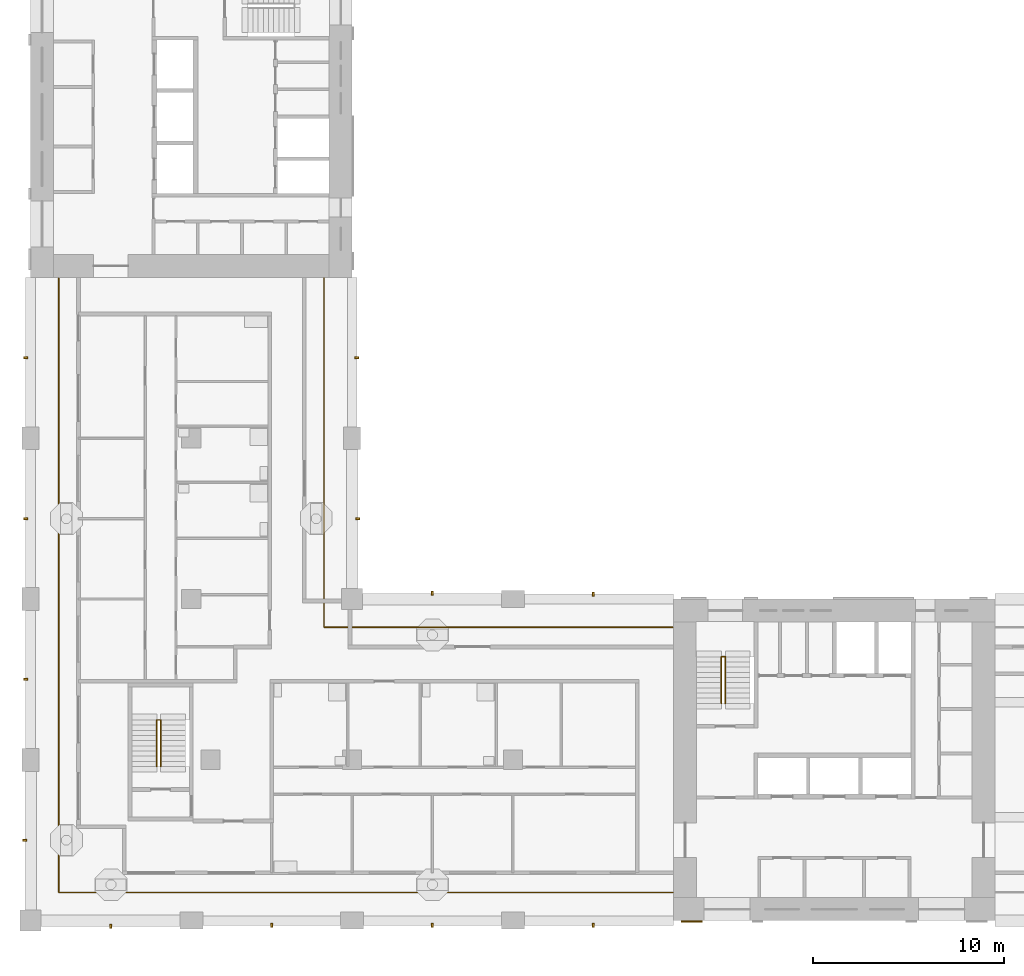
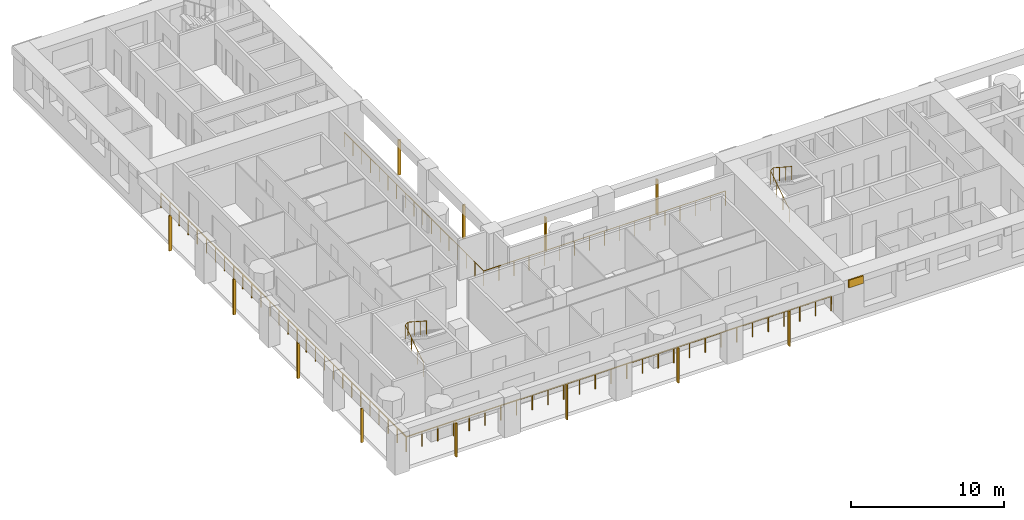
# One storey, part 8 of 13: 13 shading devices, 4 railings.
"""IFC4 building model written with IfcOpenShell, lengths in metres."""

from ifc_helpers import new_model, si_unit, direction, frame, origin, origin_2d, place, context, subcontext, project, spatial, rectangle, circle, extrude, material, layer, layer_set, material_profile, profile_set, type_object, element, save


model = new_model("IFC4")

# Units and contexts
model_context = context("Model", 3, precision=1e-05, world=origin(), true_north=direction((0.0, 1.0)))
body_context = subcontext(model_context, "Body", "Model", "MODEL_VIEW")
ifc_project = project(units=[si_unit("LENGTHUNIT", "METRE"), si_unit("AREAUNIT", "SQUARE_METRE"), si_unit("VOLUMEUNIT", "CUBIC_METRE"), si_unit("PLANEANGLEUNIT", "RADIAN"), si_unit("MASSUNIT", "GRAM", prefix="KILO")], contexts=[model_context])

# Site, building, storey
site_placement = place(None, origin())
site = spatial("IfcSite", under=ifc_project, at=site_placement, CompositionType="ELEMENT")
building_placement = place(site_placement, origin())
building = spatial("IfcBuilding", under=site, at=building_placement, Name="Vermilion Gate Residences", CompositionType="ELEMENT")
storey_placement = place(building_placement, frame((0.0, 0.0, 165.199951171875)))
storey = spatial("IfcBuildingStorey", under=building, at=storey_placement, Name="L42", CompositionType="ELEMENT", Elevation=165.199951171875)

# Railings
ifc_material_1 = material(Name="Stainless steel and toughened glass", Category="steel")
railing_type_1 = type_object("IfcRailingType", Name="LOGGIA GUARD STEEL AND GLASS 1200", PredefinedType="GUARDRAIL", material=ifc_material_1)
railing_1_placement = place(storey_placement, frame((41.97802734375, 23.72509765625, 0.0)))
element("IfcRailing", 1, at=railing_1_placement, inside=storey, type_object=railing_type_1, Name="Loggia guard", PredefinedType="GUARDRAIL", context=body_context, shape_type="SweptSolid", body=[
    extrude(circle(Radius=0.030029296875, at=origin_2d()), frame((0.0, 0.0, 1.169921875), z_axis=(-1.0, 0.0, 0.0), x_axis=(0.0, -1.0, 0.0)), (0.0, 0.0, 1.0), 18.2529296875),
    extrude(circle(Radius=0.030029296875, at=origin_2d()), frame((-18.2529296875, 0.0, 1.169921875), z_axis=(0.0, 1.0, 0.0), x_axis=(-1.0, 0.0, 0.0)), (0.0, 0.0, 1.0), 18.2529296875),
    extrude(circle(Radius=0.02490234375, at=origin_2d()), origin(), (0.0, 0.0, 1.0), 1.139892578125),
    extrude(circle(Radius=0.02490234375, at=origin_2d()), frame((-1.140869140625, 0.0, 0.0)), (0.0, 0.0, 1.0), 1.139892578125),
    extrude(circle(Radius=0.02490234375, at=origin_2d()), frame((-2.28173828125, 0.0, 0.0)), (0.0, 0.0, 1.0), 1.139892578125),
    extrude(circle(Radius=0.02490234375, at=origin_2d()), frame((-3.42236328125, 0.0, 0.0)), (0.0, 0.0, 1.0), 1.139892578125),
    extrude(circle(Radius=0.02490234375, at=origin_2d()), frame((-4.563232421875, 0.0, 0.0)), (0.0, 0.0, 1.0), 1.139892578125),
    extrude(circle(Radius=0.02490234375, at=origin_2d()), frame((-5.7041015625, 0.0, 0.0)), (0.0, 0.0, 1.0), 1.139892578125),
    extrude(circle(Radius=0.02490234375, at=origin_2d()), frame((-6.8447265625, 0.0, 0.0)), (0.0, 0.0, 1.0), 1.139892578125),
    extrude(circle(Radius=0.02490234375, at=origin_2d()), frame((-7.985595703125, 0.0, 0.0)), (0.0, 0.0, 1.0), 1.139892578125),
    extrude(circle(Radius=0.02490234375, at=origin_2d()), frame((-9.12646484375, 0.0, 0.0)), (0.0, 0.0, 1.0), 1.139892578125),
    extrude(circle(Radius=0.02490234375, at=origin_2d()), frame((-10.267333984375, 0.0, 0.0)), (0.0, 0.0, 1.0), 1.139892578125),
    extrude(circle(Radius=0.02490234375, at=origin_2d()), frame((-11.408203125, 0.0, 0.0)), (0.0, 0.0, 1.0), 1.139892578125),
    extrude(circle(Radius=0.02490234375, at=origin_2d()), frame((-12.548828125, 0.0, 0.0)), (0.0, 0.0, 1.0), 1.139892578125),
    extrude(circle(Radius=0.02490234375, at=origin_2d()), frame((-13.689697265625, 0.0, 0.0)), (0.0, 0.0, 1.0), 1.139892578125),
    extrude(circle(Radius=0.02490234375, at=origin_2d()), frame((-14.83056640625, 0.0, 0.0)), (0.0, 0.0, 1.0), 1.139892578125),
    extrude(circle(Radius=0.02490234375, at=origin_2d()), frame((-15.97119140625, 0.0, 0.0)), (0.0, 0.0, 1.0), 1.139892578125),
    extrude(circle(Radius=0.02490234375, at=origin_2d()), frame((-17.112060546875, 0.0, 0.0)), (0.0, 0.0, 1.0), 1.139892578125),
    extrude(circle(Radius=0.02490234375, at=origin_2d()), frame((-18.2529296875, 0.0, 0.0)), (0.0, 0.0, 1.0), 1.139892578125),
    extrude(circle(Radius=0.02490234375, at=origin_2d()), frame((-18.2529296875, 1.140869140625, 0.0)), (0.0, 0.0, 1.0), 1.139892578125),
    extrude(circle(Radius=0.02490234375, at=origin_2d()), frame((-18.2529296875, 2.28173828125, 0.0)), (0.0, 0.0, 1.0), 1.139892578125),
    extrude(circle(Radius=0.02490234375, at=origin_2d()), frame((-18.2529296875, 3.42236328125, 0.0)), (0.0, 0.0, 1.0), 1.139892578125),
    extrude(circle(Radius=0.02490234375, at=origin_2d()), frame((-18.2529296875, 4.563232421875, 0.0)), (0.0, 0.0, 1.0), 1.139892578125),
    extrude(circle(Radius=0.02490234375, at=origin_2d()), frame((-18.2529296875, 5.7041015625, 0.0)), (0.0, 0.0, 1.0), 1.139892578125),
    extrude(circle(Radius=0.02490234375, at=origin_2d()), frame((-18.2529296875, 6.8447265625, 0.0)), (0.0, 0.0, 1.0), 1.139892578125),
    extrude(circle(Radius=0.02490234375, at=origin_2d()), frame((-18.2529296875, 7.985595703125, 0.0)), (0.0, 0.0, 1.0), 1.139892578125),
    extrude(circle(Radius=0.02490234375, at=origin_2d()), frame((-18.2529296875, 9.12646484375, 0.0)), (0.0, 0.0, 1.0), 1.139892578125),
    extrude(circle(Radius=0.02490234375, at=origin_2d()), frame((-18.2529296875, 10.267333984375, 0.0)), (0.0, 0.0, 1.0), 1.139892578125),
    extrude(circle(Radius=0.02490234375, at=origin_2d()), frame((-18.2529296875, 11.408203125, 0.0)), (0.0, 0.0, 1.0), 1.139892578125),
    extrude(circle(Radius=0.02490234375, at=origin_2d()), frame((-18.2529296875, 12.548828125, 0.0)), (0.0, 0.0, 1.0), 1.139892578125),
    extrude(circle(Radius=0.02490234375, at=origin_2d()), frame((-18.2529296875, 13.689697265625, 0.0)), (0.0, 0.0, 1.0), 1.139892578125),
    extrude(circle(Radius=0.02490234375, at=origin_2d()), frame((-18.2529296875, 14.83056640625, 0.0)), (0.0, 0.0, 1.0), 1.139892578125),
    extrude(circle(Radius=0.02490234375, at=origin_2d()), frame((-18.2529296875, 15.97119140625, 0.0)), (0.0, 0.0, 1.0), 1.139892578125),
    extrude(circle(Radius=0.02490234375, at=origin_2d()), frame((-18.2529296875, 17.112060546875, 0.0)), (0.0, 0.0, 1.0), 1.139892578125),
    extrude(circle(Radius=0.02490234375, at=origin_2d()), frame((-18.2529296875, 18.2529296875, 0.0)), (0.0, 0.0, 1.0), 1.139892578125),
])
railing_2_placement = place(storey_placement, frame((9.875, 41.97802734375, 0.0)))
element("IfcRailing", 2, at=railing_2_placement, inside=storey, type_object=railing_type_1, Name="Loggia guard", PredefinedType="GUARDRAIL", context=body_context, shape_type="SweptSolid", body=[
    extrude(circle(Radius=0.030029296875, at=origin_2d()), frame((0.0, 0.0, 1.169921875), z_axis=(0.0, -1.0, 0.0), x_axis=(1.0, 0.0, 0.0)), (0.0, 0.0, 1.0), 32.10302734375),
    extrude(circle(Radius=0.030029296875, at=origin_2d()), frame((0.0, -32.10302734375, 1.169921875), z_axis=(1.0, 0.0, 0.0), x_axis=(0.0, 1.0, 0.0)), (0.0, 0.0, 1.0), 32.10302734375),
    extrude(circle(Radius=0.02490234375, at=origin_2d()), origin(), (0.0, 0.0, 1.0), 1.139892578125),
    extrude(circle(Radius=0.02490234375, at=origin_2d()), frame((0.0, -1.18896484375, 0.0)), (0.0, 0.0, 1.0), 1.139892578125),
    extrude(circle(Radius=0.02490234375, at=origin_2d()), frame((0.0, -2.3779296875, 0.0)), (0.0, 0.0, 1.0), 1.139892578125),
    extrude(circle(Radius=0.02490234375, at=origin_2d()), frame((0.0, -3.56689453125, 0.0)), (0.0, 0.0, 1.0), 1.139892578125),
    extrude(circle(Radius=0.02490234375, at=origin_2d()), frame((0.0, -4.756103515625, 0.0)), (0.0, 0.0, 1.0), 1.139892578125),
    extrude(circle(Radius=0.02490234375, at=origin_2d()), frame((0.0, -5.945068359375, 0.0)), (0.0, 0.0, 1.0), 1.139892578125),
    extrude(circle(Radius=0.02490234375, at=origin_2d()), frame((0.0, -7.134033203125, 0.0)), (0.0, 0.0, 1.0), 1.139892578125),
    extrude(circle(Radius=0.02490234375, at=origin_2d()), frame((0.0, -8.322998046875, 0.0)), (0.0, 0.0, 1.0), 1.139892578125),
    extrude(circle(Radius=0.02490234375, at=origin_2d()), frame((0.0, -9.511962890625, 0.0)), (0.0, 0.0, 1.0), 1.139892578125),
    extrude(circle(Radius=0.02490234375, at=origin_2d()), frame((0.0, -10.700927734375, 0.0)), (0.0, 0.0, 1.0), 1.139892578125),
    extrude(circle(Radius=0.02490234375, at=origin_2d()), frame((0.0, -11.889892578125, 0.0)), (0.0, 0.0, 1.0), 1.139892578125),
    extrude(circle(Radius=0.02490234375, at=origin_2d()), frame((0.0, -13.0791015625, 0.0)), (0.0, 0.0, 1.0), 1.139892578125),
    extrude(circle(Radius=0.02490234375, at=origin_2d()), frame((0.0, -14.26806640625, 0.0)), (0.0, 0.0, 1.0), 1.139892578125),
    extrude(circle(Radius=0.02490234375, at=origin_2d()), frame((0.0, -15.45703125, 0.0)), (0.0, 0.0, 1.0), 1.139892578125),
    extrude(circle(Radius=0.02490234375, at=origin_2d()), frame((0.0, -16.64599609375, 0.0)), (0.0, 0.0, 1.0), 1.139892578125),
    extrude(circle(Radius=0.02490234375, at=origin_2d()), frame((0.0, -17.8349609375, 0.0)), (0.0, 0.0, 1.0), 1.139892578125),
    extrude(circle(Radius=0.02490234375, at=origin_2d()), frame((0.0, -19.02392578125, 0.0)), (0.0, 0.0, 1.0), 1.139892578125),
    extrude(circle(Radius=0.02490234375, at=origin_2d()), frame((0.0, -20.213134765625, 0.0)), (0.0, 0.0, 1.0), 1.139892578125),
    extrude(circle(Radius=0.02490234375, at=origin_2d()), frame((0.0, -21.402099609375, 0.0)), (0.0, 0.0, 1.0), 1.139892578125),
    extrude(circle(Radius=0.02490234375, at=origin_2d()), frame((0.0, -22.591064453125, 0.0)), (0.0, 0.0, 1.0), 1.139892578125),
    extrude(circle(Radius=0.02490234375, at=origin_2d()), frame((0.0, -23.780029296875, 0.0)), (0.0, 0.0, 1.0), 1.139892578125),
    extrude(circle(Radius=0.02490234375, at=origin_2d()), frame((0.0, -24.968994140625, 0.0)), (0.0, 0.0, 1.0), 1.139892578125),
    extrude(circle(Radius=0.02490234375, at=origin_2d()), frame((0.0, -26.157958984375, 0.0)), (0.0, 0.0, 1.0), 1.139892578125),
    extrude(circle(Radius=0.02490234375, at=origin_2d()), frame((0.0, -27.346923828125, 0.0)), (0.0, 0.0, 1.0), 1.139892578125),
    extrude(circle(Radius=0.02490234375, at=origin_2d()), frame((0.0, -28.5361328125, 0.0)), (0.0, 0.0, 1.0), 1.139892578125),
    extrude(circle(Radius=0.02490234375, at=origin_2d()), frame((0.0, -29.72509765625, 0.0)), (0.0, 0.0, 1.0), 1.139892578125),
    extrude(circle(Radius=0.02490234375, at=origin_2d()), frame((0.0, -30.9140625, 0.0)), (0.0, 0.0, 1.0), 1.139892578125),
    extrude(circle(Radius=0.02490234375, at=origin_2d()), frame((0.0, -32.10302734375, 0.0)), (0.0, 0.0, 1.0), 1.139892578125),
    extrude(circle(Radius=0.02490234375, at=origin_2d()), frame((1.18896484375, -32.10302734375, 0.0)), (0.0, 0.0, 1.0), 1.139892578125),
    extrude(circle(Radius=0.02490234375, at=origin_2d()), frame((2.3779296875, -32.10302734375, 0.0)), (0.0, 0.0, 1.0), 1.139892578125),
    extrude(circle(Radius=0.02490234375, at=origin_2d()), frame((3.56689453125, -32.10302734375, 0.0)), (0.0, 0.0, 1.0), 1.139892578125),
    extrude(circle(Radius=0.02490234375, at=origin_2d()), frame((4.756103515625, -32.10302734375, 0.0)), (0.0, 0.0, 1.0), 1.139892578125),
    extrude(circle(Radius=0.02490234375, at=origin_2d()), frame((5.945068359375, -32.10302734375, 0.0)), (0.0, 0.0, 1.0), 1.139892578125),
    extrude(circle(Radius=0.02490234375, at=origin_2d()), frame((7.134033203125, -32.10302734375, 0.0)), (0.0, 0.0, 1.0), 1.139892578125),
    extrude(circle(Radius=0.02490234375, at=origin_2d()), frame((8.322998046875, -32.10302734375, 0.0)), (0.0, 0.0, 1.0), 1.139892578125),
    extrude(circle(Radius=0.02490234375, at=origin_2d()), frame((9.511962890625, -32.10302734375, 0.0)), (0.0, 0.0, 1.0), 1.139892578125),
    extrude(circle(Radius=0.02490234375, at=origin_2d()), frame((10.700927734375, -32.10302734375, 0.0)), (0.0, 0.0, 1.0), 1.139892578125),
    extrude(circle(Radius=0.02490234375, at=origin_2d()), frame((11.889892578125, -32.10302734375, 0.0)), (0.0, 0.0, 1.0), 1.139892578125),
    extrude(circle(Radius=0.02490234375, at=origin_2d()), frame((13.0791015625, -32.10302734375, 0.0)), (0.0, 0.0, 1.0), 1.139892578125),
    extrude(circle(Radius=0.02490234375, at=origin_2d()), frame((14.26806640625, -32.10302734375, 0.0)), (0.0, 0.0, 1.0), 1.139892578125),
    extrude(circle(Radius=0.02490234375, at=origin_2d()), frame((15.45703125, -32.10302734375, 0.0)), (0.0, 0.0, 1.0), 1.139892578125),
    extrude(circle(Radius=0.02490234375, at=origin_2d()), frame((16.64599609375, -32.10302734375, 0.0)), (0.0, 0.0, 1.0), 1.139892578125),
    extrude(circle(Radius=0.02490234375, at=origin_2d()), frame((17.8349609375, -32.10302734375, 0.0)), (0.0, 0.0, 1.0), 1.139892578125),
    extrude(circle(Radius=0.02490234375, at=origin_2d()), frame((19.02392578125, -32.10302734375, 0.0)), (0.0, 0.0, 1.0), 1.139892578125),
    extrude(circle(Radius=0.02490234375, at=origin_2d()), frame((20.213134765625, -32.10302734375, 0.0)), (0.0, 0.0, 1.0), 1.139892578125),
    extrude(circle(Radius=0.02490234375, at=origin_2d()), frame((21.402099609375, -32.10302734375, 0.0)), (0.0, 0.0, 1.0), 1.139892578125),
    extrude(circle(Radius=0.02490234375, at=origin_2d()), frame((22.591064453125, -32.10302734375, 0.0)), (0.0, 0.0, 1.0), 1.139892578125),
    extrude(circle(Radius=0.02490234375, at=origin_2d()), frame((23.780029296875, -32.10302734375, 0.0)), (0.0, 0.0, 1.0), 1.139892578125),
    extrude(circle(Radius=0.02490234375, at=origin_2d()), frame((24.968994140625, -32.10302734375, 0.0)), (0.0, 0.0, 1.0), 1.139892578125),
    extrude(circle(Radius=0.02490234375, at=origin_2d()), frame((26.157958984375, -32.10302734375, 0.0)), (0.0, 0.0, 1.0), 1.139892578125),
    extrude(circle(Radius=0.02490234375, at=origin_2d()), frame((27.346923828125, -32.10302734375, 0.0)), (0.0, 0.0, 1.0), 1.139892578125),
    extrude(circle(Radius=0.02490234375, at=origin_2d()), frame((28.5361328125, -32.10302734375, 0.0)), (0.0, 0.0, 1.0), 1.139892578125),
    extrude(circle(Radius=0.02490234375, at=origin_2d()), frame((29.72509765625, -32.10302734375, 0.0)), (0.0, 0.0, 1.0), 1.139892578125),
    extrude(circle(Radius=0.02490234375, at=origin_2d()), frame((30.9140625, -32.10302734375, 0.0)), (0.0, 0.0, 1.0), 1.139892578125),
    extrude(circle(Radius=0.02490234375, at=origin_2d()), frame((32.10302734375, -32.10302734375, 0.0)), (0.0, 0.0, 1.0), 1.139892578125),
])
ifc_material_2 = material(Name="Steel S355", Category="steel")
railing_type_2 = type_object("IfcRailingType", Name="STAIR GUARD 1100 STEEL", PredefinedType="GUARDRAIL", material=ifc_material_2)
for number, where, name in (
    (3, (44.5, 19.75, 0.175048828125), "Stair well guard STA1-42"),
    (4, (15.0, 16.449951171875, 0.175048828125), "Stair well guard STC1-42"),
):
    element("IfcRailing", number, at=place(storey_placement, frame(where)), inside=storey, type_object=railing_type_2, Name=name, PredefinedType="GUARDRAIL", context=body_context, shape_type="SweptSolid", body=[
        extrude(circle(Radius=0.02392578125, at=origin_2d()), frame((0.0, 0.0, 1.076171875), z_axis=(0.0, 0.839153699163, 0.543894354798), x_axis=(-1.0, 0.0, 0.0)), (0.0, 0.0, 1.0), 2.895751953125),
        extrude(circle(Radius=0.02392578125, at=origin_2d()), frame((0.0, 2.429931640625, 2.65087890625), z_axis=(0.752405939678, 0.0, 0.658699705433), x_axis=(0.0, 1.0, 0.0)), (0.0, 0.0, 1.0), 0.265869140625),
        extrude(circle(Radius=0.02392578125, at=origin_2d()), frame((0.199951171875, 2.429931640625, 2.826171875), z_axis=(0.0, -0.839153699163, 0.543894354798), x_axis=(1.0, 0.0, 0.0)), (0.0, 0.0, 1.0), 2.895751953125),
        extrude(circle(Radius=0.02099609375, at=origin_2d()), origin(), (0.0, 0.0, 1.0), 1.052001953125),
        extrude(circle(Radius=0.02099609375, at=origin_2d()), frame((0.0, 0.81005859375, 0.52490234375)), (0.0, 0.0, 1.0), 1.052001953125),
        extrude(circle(Radius=0.02099609375, at=origin_2d()), frame((0.0, 1.619873046875, 1.050048828125)), (0.0, 0.0, 1.0), 1.052001953125),
        extrude(circle(Radius=0.02099609375, at=origin_2d()), frame((0.0, 2.429931640625, 1.574951171875)), (0.0, 0.0, 1.0), 1.052001953125),
        extrude(circle(Radius=0.02099609375, at=origin_2d()), frame((0.199951171875, 2.429931640625, 1.75)), (0.0, 0.0, 1.0), 1.052001953125),
        extrude(circle(Radius=0.02099609375, at=origin_2d()), frame((0.199951171875, 1.619873046875, 2.27490234375)), (0.0, 0.0, 1.0), 1.052001953125),
        extrude(circle(Radius=0.02099609375, at=origin_2d()), frame((0.199951171875, 0.81005859375, 2.800048828125)), (0.0, 0.0, 1.0), 1.052001953125),
        extrude(circle(Radius=0.02099609375, at=origin_2d()), frame((0.199951171875, 0.0, 3.324951171875)), (0.0, 0.0, 1.0), 1.052001953125),
    ])

# Shading devices
ifc_material_3 = material(Name="Extruded terracotta", Category="masonry")
ifc_material_profile = material_profile(ifc_material_3, rectangle(XDim=0.199951171875, YDim=0.10009765625, at=origin_2d()), Name="BAGUETTE 100 X 200")
ifc_profile_set = profile_set([ifc_material_profile], Name="Extruded terracotta")
shading_device_type_1 = type_object("IfcShadingDeviceType", Name="TERRACOTTA BAGUETTE 100 X 200", PredefinedType="JALOUSIE", material=ifc_profile_set)
shading_device_1_placement = place(storey_placement, frame((12.60009765625, 8.10009765625, -0.280029296875), z_axis=(0.0, 0.0, 1.0), x_axis=(0.0, 1.0, 0.0)))
element("IfcShadingDevice", 5, at=shading_device_1_placement, inside=storey, type_object=shading_device_type_1, Name="BAGUETTE", PredefinedType="JALOUSIE", context=body_context, shape_type="SweptSolid", body=[
    extrude(rectangle(XDim=0.199951171875, YDim=0.10009765625, at=origin_2d()), origin(), (0.0, 0.0, 1.0), 2.7001953125),
])
for number, where, z_axis, x_axis, name in (
    (6, (21.0, 8.14990234375, -0.280029296875), (0.0, 0.0, 1.0), (0.0, 1.0, 0.0), "BAGUETTE"),
    (7, (29.39990234375, 8.14990234375, -0.280029296875), (0.0, 0.0, 1.0), (0.0, 1.0, 0.0), "BAGUETTE"),
    (8, (37.800048828125, 8.14990234375, -0.280029296875), (0.0, 0.0, 1.0), (0.0, 1.0, 0.0), "BAGUETTE"),
):
    element("IfcShadingDevice", number, at=place(storey_placement, frame(where, z_axis=z_axis, x_axis=x_axis)), inside=storey, type_object=shading_device_type_1, Name=name, PredefinedType="JALOUSIE", context=body_context, shape_type="SweptSolid", body=[
        extrude(rectangle(XDim=0.199951171875, YDim=0.10009765625, at=origin_2d()), origin(), (0.0, 0.0, 1.0), 2.800048828125),
    ])
shading_device_2_placement = place(storey_placement, frame((29.39990234375, 25.5, -0.280029296875), z_axis=(0.0, 0.0, 1.0), x_axis=(0.0, -1.0, 0.0)))
element("IfcShadingDevice", 9, at=shading_device_2_placement, inside=storey, type_object=shading_device_type_1, Name="BAGUETTE", PredefinedType="JALOUSIE", context=body_context, shape_type="SweptSolid", body=[
    extrude(rectangle(XDim=0.199951171875, YDim=0.10009765625, at=origin_2d()), origin(), (0.0, 0.0, 1.0), 2.7001953125),
])
shading_device_3_placement = place(storey_placement, frame((37.800048828125, 25.449951171875, -0.280029296875), z_axis=(0.0, 0.0, 1.0), x_axis=(0.0, -1.0, 0.0)))
element("IfcShadingDevice", 10, at=shading_device_3_placement, inside=storey, type_object=shading_device_type_1, Name="BAGUETTE", PredefinedType="JALOUSIE", context=body_context, shape_type="SweptSolid", body=[
    extrude(rectangle(XDim=0.199951171875, YDim=0.10009765625, at=origin_2d()), origin(), (0.0, 0.0, 1.0), 2.800048828125),
])
shading_device_4_placement = place(storey_placement, frame((25.5, 29.39990234375, -0.280029296875), z_axis=(0.0, 0.0, 1.0), x_axis=(-1.0, 0.0, 0.0)))
element("IfcShadingDevice", 11, at=shading_device_4_placement, inside=storey, type_object=shading_device_type_1, Name="BAGUETTE", PredefinedType="JALOUSIE", context=body_context, shape_type="SweptSolid", body=[
    extrude(rectangle(XDim=0.199951171875, YDim=0.10009765625, at=origin_2d()), origin(), (0.0, 0.0, 1.0), 2.7001953125),
])
shading_device_5_placement = place(storey_placement, frame((25.449951171875, 37.800048828125, -0.280029296875), z_axis=(0.0, 0.0, 1.0), x_axis=(-1.0, 0.0, 0.0)))
element("IfcShadingDevice", 12, at=shading_device_5_placement, inside=storey, type_object=shading_device_type_1, Name="BAGUETTE", PredefinedType="JALOUSIE", context=body_context, shape_type="SweptSolid", body=[
    extrude(rectangle(XDim=0.199951171875, YDim=0.10009765625, at=origin_2d()), origin(), (0.0, 0.0, 1.0), 2.800048828125),
])
shading_device_6_placement = place(storey_placement, frame((8.10009765625, 12.60009765625, -0.280029296875), z_axis=(0.0, 0.0, 1.0), x_axis=(1.0, 0.0, 0.0)))
element("IfcShadingDevice", 13, at=shading_device_6_placement, inside=storey, type_object=shading_device_type_1, Name="BAGUETTE", PredefinedType="JALOUSIE", context=body_context, shape_type="SweptSolid", body=[
    extrude(rectangle(XDim=0.199951171875, YDim=0.10009765625, at=origin_2d()), origin(), (0.0, 0.0, 1.0), 2.7001953125),
])
for number, where, z_axis, x_axis, name in (
    (14, (8.14990234375, 21.0, -0.280029296875), (0.0, 0.0, 1.0), (1.0, 0.0, 0.0), "BAGUETTE"),
    (15, (8.14990234375, 29.39990234375, -0.280029296875), (0.0, 0.0, 1.0), (1.0, 0.0, 0.0), "BAGUETTE"),
    (16, (8.14990234375, 37.800048828125, -0.280029296875), (0.0, 0.0, 1.0), (1.0, 0.0, 0.0), "BAGUETTE"),
):
    element("IfcShadingDevice", number, at=place(storey_placement, frame(where, z_axis=z_axis, x_axis=x_axis)), inside=storey, type_object=shading_device_type_1, Name=name, PredefinedType="JALOUSIE", context=body_context, shape_type="SweptSolid", body=[
        extrude(rectangle(XDim=0.199951171875, YDim=0.10009765625, at=origin_2d()), origin(), (0.0, 0.0, 1.0), 2.800048828125),
    ])
ifc_material_4 = material(Name="Extruded terracotta", Category="masonry")
ifc_layer = layer(ifc_material_4, 0.10009765625)
ifc_layer_set = layer_set([ifc_layer], Name="TERRACOTTA SPANDREL BAND 600 X 100")
shading_device_type_2 = type_object("IfcShadingDeviceType", Name="TERRACOTTA SPANDREL BAND 600 X 100", PredefinedType="USERDEFINED", material=ifc_layer_set)
shading_device_7_placement = place(storey_placement, frame((42.949951171875, 8.35009765625, 2.6201171875), z_axis=(0.0, 0.0, 1.0), x_axis=(1.0, 0.0, 0.0)))
element("IfcShadingDevice", 17, at=shading_device_7_placement, inside=storey, type_object=shading_device_type_2, Name="SPANDREL BAND", ObjectType="BAND", PredefinedType="USERDEFINED", context=body_context, shape_type="SweptSolid", body=[
    extrude(rectangle(XDim=1.10009765625, YDim=0.10009765625, at=origin_2d()), origin(), (0.0, 0.0, 1.0), 0.60009765625),
])

save(model, "model.ifc")
